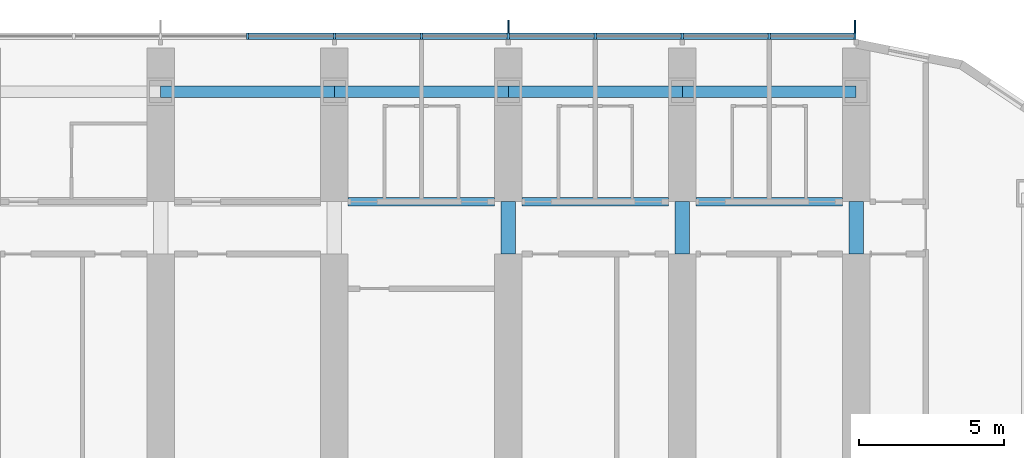
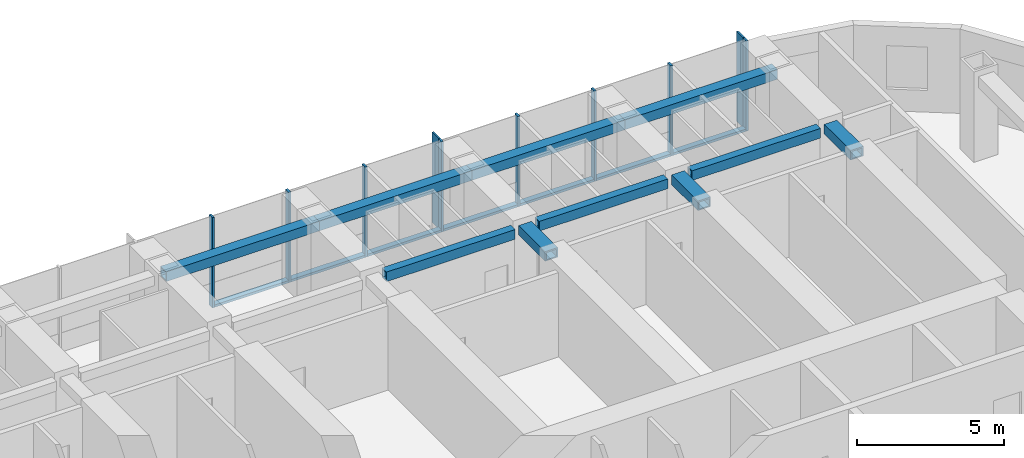
# One storey, part 5 of 22: 17 members, 10 beams, 1 element without a shape of its own.
"""IFC4 building model written with IfcOpenShell, lengths in metres."""

import ifcopenshell
import ifcopenshell.guid

model = None  # the IFC model being written
_history = None  # IfcOwnerHistory: only IFC2X3 demands one
_inside = {}  # id of a spatial element -> (the spatial element, [elements in it])
_under = {}  # id of a project, library or spatial element -> (it, [spatial elements below it])
_declared = {}  # id of a project -> (the project, [libraries it declares])
_typed = {}  # id of a type object -> (the type object, [elements of that type])
_made_of = {}  # id of a material, layer set ... -> (it, [elements and type objects made of it])


def new_model(schema):
    """Start an empty IFC model of exactly this schema.

    Asked for "IFC4X3", IfcOpenShell would pick the latest addendum, in which some entities
    have other attributes; the version numbers below select the first issue.
    IFC2X3 requires an IfcOwnerHistory on every rooted entity: one is made here for all.
    """
    global model, _history
    if schema == "IFC4X3":
        model = ifcopenshell.file(schema_version=(4, 3, 0, 0))
    else:
        model = ifcopenshell.file(schema=schema)
    _inside.clear()
    _under.clear()
    _declared.clear()
    _typed.clear()
    _made_of.clear()
    _history = None
    if model.schema == "IFC2X3":
        org = make("IfcOrganization", Name="unknown")
        user = make(
            "IfcPersonAndOrganization",
            ThePerson=make("IfcPerson", FamilyName="unknown"),
            TheOrganization=org,
        )
        app = make(
            "IfcApplication",
            ApplicationDeveloper=org,
            Version="unknown",
            ApplicationFullName="unknown",
            ApplicationIdentifier="unknown",
        )
        _history = make(
            "IfcOwnerHistory",
            OwningUser=user,
            OwningApplication=app,
            ChangeAction="ADDED",
            CreationDate=0,
        )
    return model


def make(cls, **values):
    """One entity of the class cls with the attributes given. An attribute that is None is left unset."""
    return model.create_entity(
        cls, **{name: value for name, value in values.items() if value is not None}
    )


def rooted(cls, **values):
    """An entity with a GlobalId (a new one), such as an element, a storey or a relation."""
    return make(cls, GlobalId=ifcopenshell.guid.new(), OwnerHistory=_history, **values)


def si_unit(unit_type, name, prefix=None):
    """IfcSIUnit, for example si_unit("LENGTHUNIT", "METRE", prefix="MILLI")."""
    return make("IfcSIUnit", UnitType=unit_type, Prefix=prefix, Name=name)


def assignment(units):
    """IfcUnitAssignment: the units of a project."""
    return None if units is None else make("IfcUnitAssignment", Units=units)


def point(xyz):
    """IfcCartesianPoint."""
    return None if xyz is None else make("IfcCartesianPoint", Coordinates=xyz)


def direction(xyz):
    """IfcDirection."""
    return None if xyz is None else make("IfcDirection", DirectionRatios=xyz)


def frame(location, z_axis=None, x_axis=None):
    """IfcAxis2Placement3D, a coordinate frame: its origin and axes. An axis left out is left unset."""
    return make(
        "IfcAxis2Placement3D",
        Location=point(location),
        Axis=direction(z_axis),
        RefDirection=direction(x_axis),
    )


def frame_2d(location, x_axis=None):
    """IfcAxis2Placement2D, a coordinate frame in the plane: its origin and x axis."""
    return make(
        "IfcAxis2Placement2D", Location=point(location), RefDirection=direction(x_axis)
    )


def origin():
    """The frame at (0, 0, 0) with its axes left unset."""
    return frame((0.0, 0.0, 0.0))


def origin_2d():
    """The frame at (0, 0) in the plane with its x axis left unset."""
    return frame_2d((0.0, 0.0))


def place(relative_to, where):
    """IfcLocalPlacement: puts the frame where relative to a parent placement (None: the world)."""
    return make(
        "IfcLocalPlacement", PlacementRelTo=relative_to, RelativePlacement=where
    )


def context(
    kind, dimensions, precision=None, world=None, true_north=None, identifier=None
):
    """IfcGeometricRepresentationContext, for example the 3D "Model" context."""
    return make(
        "IfcGeometricRepresentationContext",
        ContextIdentifier=identifier,
        ContextType=kind,
        CoordinateSpaceDimension=dimensions,
        Precision=precision,
        WorldCoordinateSystem=world,
        TrueNorth=true_north,
    )


def subcontext(parent, identifier, kind, view, scale=None):
    """IfcGeometricRepresentationSubContext, for example "Body" below "Model"."""
    return make(
        "IfcGeometricRepresentationSubContext",
        ContextIdentifier=identifier,
        ContextType=kind,
        ParentContext=parent,
        TargetScale=scale,
        TargetView=view,
    )


def project(units=None, contexts=None):
    """IfcProject with its units and contexts."""
    return rooted(
        "IfcProject",
        Name="project",
        RepresentationContexts=contexts,
        UnitsInContext=assignment(units),
    )


def spatial(cls, under=None, at=None, **own):
    """A site, building, storey or space (cls), placed at a placement, below another one or the project."""
    s = rooted(cls, ObjectPlacement=at, **own)
    if under is not None:
        _under.setdefault(under.id(), (under, []))[1].append(s)
    return s


def profile(cls, at=None, kind="AREA", **sizes):
    """A parametric profile (cls). Its sizes go by their IFC names, for example OverallWidth=200.0."""
    return make(cls, ProfileType=kind, Position=at, **sizes)


def rectangle(**sizes):
    """IfcRectangleProfileDef."""
    return profile("IfcRectangleProfileDef", **sizes)


def hollow_rectangle(**sizes):
    """IfcRectangleHollowProfileDef."""
    return profile("IfcRectangleHollowProfileDef", **sizes)


def extrude(swept, where, along, depth):
    """IfcExtrudedAreaSolid: the profile swept, set in the frame where, extruded along a direction by depth."""
    return make(
        "IfcExtrudedAreaSolid",
        SweptArea=swept,
        Position=where,
        ExtrudedDirection=direction(along),
        Depth=depth,
    )


def shape(context_of_items, identifier, shape_type, items):
    """IfcShapeRepresentation: the items that make up one representation, for example the "Body"."""
    return make(
        "IfcShapeRepresentation",
        ContextOfItems=context_of_items,
        RepresentationIdentifier=identifier,
        RepresentationType=shape_type,
        Items=items,
    )


def material(Name=None, Category=None):
    """IfcMaterial."""
    return make("IfcMaterial", Name=Name, Category=Category)


def material_profile(
    of_material, cross_section, Name=None, Category=None, Priority=None
):
    """IfcMaterialProfile: a cross section and its material."""
    return make(
        "IfcMaterialProfile",
        Name=Name,
        Material=of_material,
        Profile=cross_section,
        Priority=Priority,
        Category=Category,
    )


def profile_set(profiles, Name=None, composite=None):
    """IfcMaterialProfileSet."""
    return make(
        "IfcMaterialProfileSet",
        Name=Name,
        MaterialProfiles=profiles,
        CompositeProfile=composite,
    )


def made_of(thing, what):
    """Note that an element or type object is made of a material, layer set ...; save() writes the relation."""
    if what is not None:
        _made_of.setdefault(what.id(), (what, []))[1].append(thing)
    return thing


def type_object(cls, material=None, **own):
    """A type object (cls), such as IfcWallType, which elements share."""
    return made_of(rooted(cls, **own), material)


def element(
    cls,
    number,
    at=None,
    inside=None,
    cuts=None,
    type_object=None,
    material=None,
    context=None,
    identifier="Body",
    shape_type=None,
    held_by="IfcProductDefinitionShape",
    body=None,
    shapes=None,
    **own,
):
    """One element of the class cls, such as IfcWall. Its Tag is "e" and its number.

    at: its placement. inside: the storey or other place that contains it. cuts: it is an
    opening in that element (IfcRelVoidsElement). A single representation is given by context,
    identifier, shape_type and body (its items); several are given by shapes. held_by: the class
    of the entity that holds the representations. save() writes the other relations.
    """
    e = rooted(cls, Tag="e%d" % number, ObjectPlacement=at, **own)
    if body is not None:
        shapes = [shape(context, identifier, shape_type, body)]
    if shapes is not None:
        e.Representation = make(held_by, Representations=shapes)
    if inside is not None:
        _inside.setdefault(inside.id(), (inside, []))[1].append(e)
    if cuts is not None:
        rooted(
            "IfcRelVoidsElement", RelatingBuildingElement=cuts, RelatedOpeningElement=e
        )
    if type_object is not None:
        _typed.setdefault(type_object.id(), (type_object, []))[1].append(e)
    return made_of(e, material)


def aggregate(whole, parts):
    """IfcRelAggregates: a whole, such as a stair, and the parts it consists of."""
    return rooted("IfcRelAggregates", RelatingObject=whole, RelatedObjects=parts)


def save(model, path):
    """Write the relations noted so far, then the file.

    IfcRelAggregates (storeys below a building ...), IfcRelContainedInSpatialStructure (elements
    in a storey), IfcRelDefinesByType, IfcRelAssociatesMaterial and IfcRelDeclares: one each for
    every whole, place, type object, material and project.
    """
    for whole, parts in _under.values():
        aggregate(whole, parts)
    for where, things in _inside.values():
        rooted(
            "IfcRelContainedInSpatialStructure",
            RelatedElements=things,
            RelatingStructure=where,
        )
    for kind, things in _typed.values():
        rooted("IfcRelDefinesByType", RelatedObjects=things, RelatingType=kind)
    for what, things in _made_of.values():
        rooted("IfcRelAssociatesMaterial", RelatedObjects=things, RelatingMaterial=what)
    for by, libraries in _declared.values():
        rooted("IfcRelDeclares", RelatingContext=by, RelatedDefinitions=libraries)
    model.write(path)


model = new_model("IFC4")

# Units and contexts
model_context = context("Model", 3, precision=1e-05, world=origin(), true_north=direction((0.0, 1.0)))
body_context = subcontext(model_context, "Body", "Model", "MODEL_VIEW")
ifc_project = project(units=[si_unit("LENGTHUNIT", "METRE"), si_unit("AREAUNIT", "SQUARE_METRE"), si_unit("VOLUMEUNIT", "CUBIC_METRE"), si_unit("PLANEANGLEUNIT", "RADIAN"), si_unit("MASSUNIT", "GRAM", prefix="KILO")], contexts=[model_context])

# Site, building, storey
site_placement = place(None, origin())
site = spatial("IfcSite", under=ifc_project, at=site_placement, CompositionType="ELEMENT")
building_placement = place(site_placement, origin())
building = spatial("IfcBuilding", under=site, at=building_placement, Name="Orbita Commons", CompositionType="ELEMENT")
storey_placement = place(building_placement, frame((0.0, 0.0, 121.89990234375)))
storey = spatial("IfcBuildingStorey", under=building, at=storey_placement, Name="L30", CompositionType="ELEMENT", Elevation=121.89990234375)

# Curtain wall, members
ifc_material_1 = material(Name="Anodised aluminium frame, pale silver", Category="aluminium")
curtain_wall_type = type_object("IfcCurtainWallType", Name="Unitised curtain wall CW-T, vision and spandrel", PredefinedType="NOTDEFINED", material=ifc_material_1)
curtain_wall_placement = place(storey_placement, origin())
curtain_wall = element("IfcCurtainWall", 1, at=curtain_wall_placement, inside=storey, type_object=curtain_wall_type, Name="Curtain wall north L30", PredefinedType="NOTDEFINED")
ifc_material_2 = material(Name="Anodised aluminium, pale silver", Category="aluminium")
ifc_material_profile_1 = material_profile(ifc_material_2, rectangle(XDim=0.080078125, YDim=0.219970703125, at=origin_2d()), Name="AL 80x220")
ifc_profile_set_1 = profile_set([ifc_material_profile_1], Name="Anodised aluminium, pale silver")
member_type_1 = type_object("IfcMemberType", Name="Curtain wall mullion 80x220", PredefinedType="MULLION", material=ifc_profile_set_1)
member_1_placement = place(storey_placement, frame((65.9599609375, 55.510009765625, -0.25), z_axis=(0.0, 0.0, 1.0), x_axis=(-1.0, 0.0, 0.0)))
member_1 = element("IfcMember", 2, at=member_1_placement, type_object=member_type_1, Name="Mullion 1 CW-L30-N", PredefinedType="MULLION", context=body_context, shape_type="SweptSolid", body=[
    extrude(rectangle(XDim=0.080078125, YDim=0.219970703125, at=origin_2d()), origin(), (0.0, 0.0, 1.0), 3.75),
])
member_2_placement = place(storey_placement, frame((63.0, 55.510009765625, -0.25), z_axis=(0.0, 0.0, 1.0), x_axis=(-1.0, 0.0, 0.0)))
member_2 = element("IfcMember", 3, at=member_2_placement, type_object=member_type_1, Name="Mullion 2 CW-L30-N", PredefinedType="MULLION", context=body_context, shape_type="SweptSolid", body=[
    extrude(rectangle(XDim=0.080078125, YDim=0.219970703125, at=origin_2d()), origin(), (0.0, 0.0, 1.0), 3.75),
])
member_3_placement = place(storey_placement, frame((60.0, 55.510009765625, -0.25), z_axis=(0.0, 0.0, 1.0), x_axis=(-1.0, 0.0, 0.0)))
member_3 = element("IfcMember", 4, at=member_3_placement, type_object=member_type_1, Name="Mullion 3 CW-L30-N", PredefinedType="MULLION", context=body_context, shape_type="SweptSolid", body=[
    extrude(rectangle(XDim=0.080078125, YDim=0.219970703125, at=origin_2d()), origin(), (0.0, 0.0, 1.0), 3.75),
])
member_4_placement = place(storey_placement, frame((57.0, 55.510009765625, -0.25), z_axis=(0.0, 0.0, 1.0), x_axis=(-1.0, 0.0, 0.0)))
member_4 = element("IfcMember", 5, at=member_4_placement, type_object=member_type_1, Name="Mullion 4 CW-L30-N", PredefinedType="MULLION", context=body_context, shape_type="SweptSolid", body=[
    extrude(rectangle(XDim=0.080078125, YDim=0.219970703125, at=origin_2d()), origin(), (0.0, 0.0, 1.0), 3.75),
])
member_5_placement = place(storey_placement, frame((54.0, 55.510009765625, -0.25), z_axis=(0.0, 0.0, 1.0), x_axis=(-1.0, 0.0, 0.0)))
member_5 = element("IfcMember", 6, at=member_5_placement, type_object=member_type_1, Name="Mullion 5 CW-L30-N", PredefinedType="MULLION", context=body_context, shape_type="SweptSolid", body=[
    extrude(rectangle(XDim=0.080078125, YDim=0.219970703125, at=origin_2d()), origin(), (0.0, 0.0, 1.0), 3.75),
])
member_6_placement = place(storey_placement, frame((51.0, 55.510009765625, -0.25), z_axis=(0.0, 0.0, 1.0), x_axis=(-1.0, 0.0, 0.0)))
member_6 = element("IfcMember", 7, at=member_6_placement, type_object=member_type_1, Name="Mullion 6 CW-L30-N", PredefinedType="MULLION", context=body_context, shape_type="SweptSolid", body=[
    extrude(rectangle(XDim=0.080078125, YDim=0.219970703125, at=origin_2d()), origin(), (0.0, 0.0, 1.0), 3.75),
])
member_7_placement = place(storey_placement, frame((48.0, 55.510009765625, -0.25), z_axis=(0.0, 0.0, 1.0), x_axis=(-1.0, 0.0, 0.0)))
member_7 = element("IfcMember", 8, at=member_7_placement, type_object=member_type_1, Name="Mullion 7 CW-L30-N", PredefinedType="MULLION", context=body_context, shape_type="SweptSolid", body=[
    extrude(rectangle(XDim=0.080078125, YDim=0.219970703125, at=origin_2d()), origin(), (0.0, 0.0, 1.0), 3.75),
])
member_8_placement = place(storey_placement, frame((45.0, 55.510009765625, -0.25), z_axis=(0.0, 0.0, 1.0), x_axis=(-1.0, 0.0, 0.0)))
member_8 = element("IfcMember", 9, at=member_8_placement, type_object=member_type_1, Name="Mullion 8 CW-L30-N", PredefinedType="MULLION", context=body_context, shape_type="SweptSolid", body=[
    extrude(rectangle(XDim=0.080078125, YDim=0.219970703125, at=origin_2d()), origin(), (0.0, 0.0, 1.0), 3.75),
])
ifc_material_3 = material(Name="Anodised aluminium, pale silver", Category="aluminium")
ifc_material_profile_2 = material_profile(ifc_material_3, rectangle(XDim=0.219970703125, YDim=0.10009765625, at=origin_2d()), Name="AL 220x100")
ifc_profile_set_2 = profile_set([ifc_material_profile_2], Name="Anodised aluminium, pale silver")
member_type_2 = type_object("IfcMemberType", Name="Curtain wall stack transom 220x100", PredefinedType="USERDEFINED", material=ifc_profile_set_2)
member_9_placement = place(storey_placement, frame((65.919921875, 55.510009765625, -0.199951171875), z_axis=(-1.0, 0.0, 0.0), x_axis=(0.0, -1.0, 0.0)))
member_9 = element("IfcMember", 10, at=member_9_placement, type_object=member_type_2, Name="Transom 1.1 CW-L30-N", ObjectType="TRANSOM", PredefinedType="USERDEFINED", context=body_context, shape_type="SweptSolid", body=[
    extrude(rectangle(XDim=0.219970703125, YDim=0.10009765625, at=origin_2d()), origin(), (0.0, 0.0, 1.0), 2.8798828125),
])
member_10_placement = place(storey_placement, frame((62.9599609375, 55.510009765625, -0.199951171875), z_axis=(-1.0, 0.0, 0.0), x_axis=(0.0, -1.0, 0.0)))
member_10 = element("IfcMember", 11, at=member_10_placement, type_object=member_type_2, Name="Transom 2.1 CW-L30-N", ObjectType="TRANSOM", PredefinedType="USERDEFINED", context=body_context, shape_type="SweptSolid", body=[
    extrude(rectangle(XDim=0.219970703125, YDim=0.10009765625, at=origin_2d()), origin(), (0.0, 0.0, 1.0), 2.919921875),
])
member_11_placement = place(storey_placement, frame((59.9599609375, 55.510009765625, -0.199951171875), z_axis=(-1.0, 0.0, 0.0), x_axis=(0.0, -1.0, 0.0)))
member_11 = element("IfcMember", 12, at=member_11_placement, type_object=member_type_2, Name="Transom 3.1 CW-L30-N", ObjectType="TRANSOM", PredefinedType="USERDEFINED", context=body_context, shape_type="SweptSolid", body=[
    extrude(rectangle(XDim=0.219970703125, YDim=0.10009765625, at=origin_2d()), origin(), (0.0, 0.0, 1.0), 2.919921875),
])
member_12_placement = place(storey_placement, frame((56.9599609375, 55.510009765625, -0.199951171875), z_axis=(-1.0, 0.0, 0.0), x_axis=(0.0, -1.0, 0.0)))
member_12 = element("IfcMember", 13, at=member_12_placement, type_object=member_type_2, Name="Transom 4.1 CW-L30-N", ObjectType="TRANSOM", PredefinedType="USERDEFINED", context=body_context, shape_type="SweptSolid", body=[
    extrude(rectangle(XDim=0.219970703125, YDim=0.10009765625, at=origin_2d()), origin(), (0.0, 0.0, 1.0), 2.919921875),
])
member_13_placement = place(storey_placement, frame((53.9599609375, 55.510009765625, -0.199951171875), z_axis=(-1.0, 0.0, 0.0), x_axis=(0.0, -1.0, 0.0)))
member_13 = element("IfcMember", 14, at=member_13_placement, type_object=member_type_2, Name="Transom 5.1 CW-L30-N", ObjectType="TRANSOM", PredefinedType="USERDEFINED", context=body_context, shape_type="SweptSolid", body=[
    extrude(rectangle(XDim=0.219970703125, YDim=0.10009765625, at=origin_2d()), origin(), (0.0, 0.0, 1.0), 2.919921875),
])
member_14_placement = place(storey_placement, frame((50.9599609375, 55.510009765625, -0.199951171875), z_axis=(-1.0, 0.0, 0.0), x_axis=(0.0, -1.0, 0.0)))
member_14 = element("IfcMember", 15, at=member_14_placement, type_object=member_type_2, Name="Transom 6.1 CW-L30-N", ObjectType="TRANSOM", PredefinedType="USERDEFINED", context=body_context, shape_type="SweptSolid", body=[
    extrude(rectangle(XDim=0.219970703125, YDim=0.10009765625, at=origin_2d()), origin(), (0.0, 0.0, 1.0), 2.919921875),
])
member_15_placement = place(storey_placement, frame((47.9599609375, 55.510009765625, -0.199951171875), z_axis=(-1.0, 0.0, 0.0), x_axis=(0.0, -1.0, 0.0)))
member_15 = element("IfcMember", 16, at=member_15_placement, type_object=member_type_2, Name="Transom 7.1 CW-L30-N", ObjectType="TRANSOM", PredefinedType="USERDEFINED", context=body_context, shape_type="SweptSolid", body=[
    extrude(rectangle(XDim=0.219970703125, YDim=0.10009765625, at=origin_2d()), origin(), (0.0, 0.0, 1.0), 2.919921875),
])

# Beams
ifc_material_4 = material(Name="Steel ASTM A572 Gr 50 welded plate", Category="steel")
ifc_material_profile_3 = material_profile(ifc_material_4, hollow_rectangle(XDim=0.300048828125, YDim=0.39990234375, WallThickness=0.0400390625, at=origin_2d()), Name="BOX 400x300x40")
ifc_profile_set_3 = profile_set([ifc_material_profile_3], Name="Steel ASTM A572 Gr 50 welded plate")
beam_type_1 = type_object("IfcBeamType", Name="Steel corridor link BOX 400x300x40", PredefinedType="BEAM", material=ifc_profile_set_3)
for number, where, z_axis, x_axis, name in (
    (17, (48.47509765625, 49.800048828125, 3.300048828125), (1.0, 0.0, 0.0), (0.0, 1.0, 0.0), "Corridor beam NB 9-10 L30"),
    (18, (54.47509765625, 49.800048828125, 3.300048828125), (1.0, 0.0, 0.0), (0.0, 1.0, 0.0), "Corridor beam NB 10-11 L30"),
    (19, (60.47509765625, 49.800048828125, 3.300048828125), (1.0, 0.0, 0.0), (0.0, 1.0, 0.0), "Corridor beam NB 11-12 L30"),
):
    element("IfcBeam", number, at=place(storey_placement, frame(where, z_axis=z_axis, x_axis=x_axis)), inside=storey, type_object=beam_type_1, Name=name, PredefinedType="BEAM", context=body_context, shape_type="SweptSolid", body=[
        extrude(hollow_rectangle(XDim=0.300048828125, YDim=0.39990234375, WallThickness=0.0400390625, at=origin_2d()), origin(), (0.0, 0.0, 1.0), 5.0498046875),
    ])
ifc_material_5 = material(Name="Steel ASTM A572 Gr 50 welded plate", Category="steel")
ifc_material_profile_4 = material_profile(ifc_material_5, hollow_rectangle(XDim=0.5, YDim=0.39990234375, WallThickness=0.050048828125, at=origin_2d()), Name="BOX 400x500x50")
ifc_profile_set_4 = profile_set([ifc_material_profile_4], Name="Steel ASTM A572 Gr 50 welded plate")
beam_type_2 = type_object("IfcBeamType", Name="Steel coupling link BOX 400x500x50", PredefinedType="LINTEL", material=ifc_profile_set_4)
for number, where, z_axis, x_axis, name in (
    (20, (54.0, 48.0, 3.300048828125), (0.0, 1.0, 0.0), (-1.0, 0.0, 0.0), "Coupling beam 10 north L30"),
    (21, (60.0, 48.0, 3.300048828125), (0.0, 1.0, 0.0), (-1.0, 0.0, 0.0), "Coupling beam 11 north L30"),
    (22, (66.0, 48.0, 3.300048828125), (0.0, 1.0, 0.0), (-1.0, 0.0, 0.0), "Coupling beam 12 north L30"),
):
    element("IfcBeam", number, at=place(storey_placement, frame(where, z_axis=z_axis, x_axis=x_axis)), inside=storey, type_object=beam_type_2, Name=name, PredefinedType="LINTEL", context=body_context, shape_type="SweptSolid", body=[
        extrude(hollow_rectangle(XDim=0.5, YDim=0.39990234375, WallThickness=0.050048828125, at=origin_2d()), origin(), (0.0, 0.0, 1.0), 1.800048828125),
    ])
ifc_material_6 = material(Name="Steel ASTM A572 Gr 50 welded plate", Category="steel")
ifc_material_profile_5 = material_profile(ifc_material_6, hollow_rectangle(XDim=0.39990234375, YDim=0.39990234375, WallThickness=0.0400390625, at=origin_2d()), Name="BOX 400x400x40")
ifc_profile_set_5 = profile_set([ifc_material_profile_5], Name="Steel ASTM A572 Gr 50 welded plate")
beam_type_3 = type_object("IfcBeamType", Name="Steel spandrel BOX 400x400x40", PredefinedType="SPANDREL", material=ifc_profile_set_5)
for number, where, z_axis, x_axis, name in (
    (23, (42.0, 53.60009765625, 3.300048828125), (1.0, 0.0, 0.0), (0.0, 1.0, 0.0), "Spandrel beam E 8-9 L30"),
    (24, (48.0, 53.60009765625, 3.300048828125), (1.0, 0.0, 0.0), (0.0, 1.0, 0.0), "Spandrel beam E 9-10 L30"),
    (25, (54.0, 53.60009765625, 3.300048828125), (1.0, 0.0, 0.0), (0.0, 1.0, 0.0), "Spandrel beam E 10-11 L30"),
    (26, (60.0, 53.60009765625, 3.300048828125), (1.0, 0.0, 0.0), (0.0, 1.0, 0.0), "Spandrel beam E 11-12 L30"),
):
    element("IfcBeam", number, at=place(storey_placement, frame(where, z_axis=z_axis, x_axis=x_axis)), inside=storey, type_object=beam_type_3, Name=name, PredefinedType="SPANDREL", context=body_context, shape_type="SweptSolid", body=[
        extrude(hollow_rectangle(XDim=0.39990234375, YDim=0.39990234375, WallThickness=0.0400390625, at=origin_2d()), origin(), (0.0, 0.0, 1.0), 6.0),
    ])

# Member
ifc_material_7 = material(Name="Anodised aluminium, pale silver", Category="aluminium")
ifc_material_profile_6 = material_profile(ifc_material_7, rectangle(XDim=0.06005859375, YDim=0.449951171875, at=origin_2d()), Name="FIN 60x450")
ifc_profile_set_6 = profile_set([ifc_material_profile_6], Name="Anodised aluminium, pale silver")
member_type_3 = type_object("IfcMemberType", Name="Vertical fin 60x450 pale aluminium", PredefinedType="USERDEFINED", material=ifc_profile_set_6)
member_16_placement = place(storey_placement, frame((65.9599609375, 55.844970703125, -0.25), z_axis=(0.0, 0.0, 1.0), x_axis=(-1.0, 0.0, 0.0)))
member_16 = element("IfcMember", 27, at=member_16_placement, type_object=member_type_3, Name="Fin 1 CW-L30-N", ObjectType="FIN", PredefinedType="USERDEFINED", context=body_context, shape_type="SweptSolid", body=[
    extrude(rectangle(XDim=0.06005859375, YDim=0.449951171875, at=origin_2d()), origin(), (0.0, 0.0, 1.0), 3.75),
])

member_17_placement = place(storey_placement, frame((54.0, 55.844970703125, -0.25), z_axis=(0.0, 0.0, 1.0), x_axis=(-1.0, 0.0, 0.0)))
member_17 = element("IfcMember", 28, at=member_17_placement, type_object=member_type_3, Name="Fin 5 CW-L30-N", ObjectType="FIN", PredefinedType="USERDEFINED", context=body_context, shape_type="SweptSolid", body=[
    extrude(rectangle(XDim=0.06005859375, YDim=0.449951171875, at=origin_2d()), origin(), (0.0, 0.0, 1.0), 3.75),
])

aggregate(curtain_wall, [member_1, member_16, member_2, member_3, member_4, member_5, member_17, member_6, member_7, member_8, member_9, member_10, member_11, member_12, member_13, member_14, member_15])

save(model, "model.ifc")
